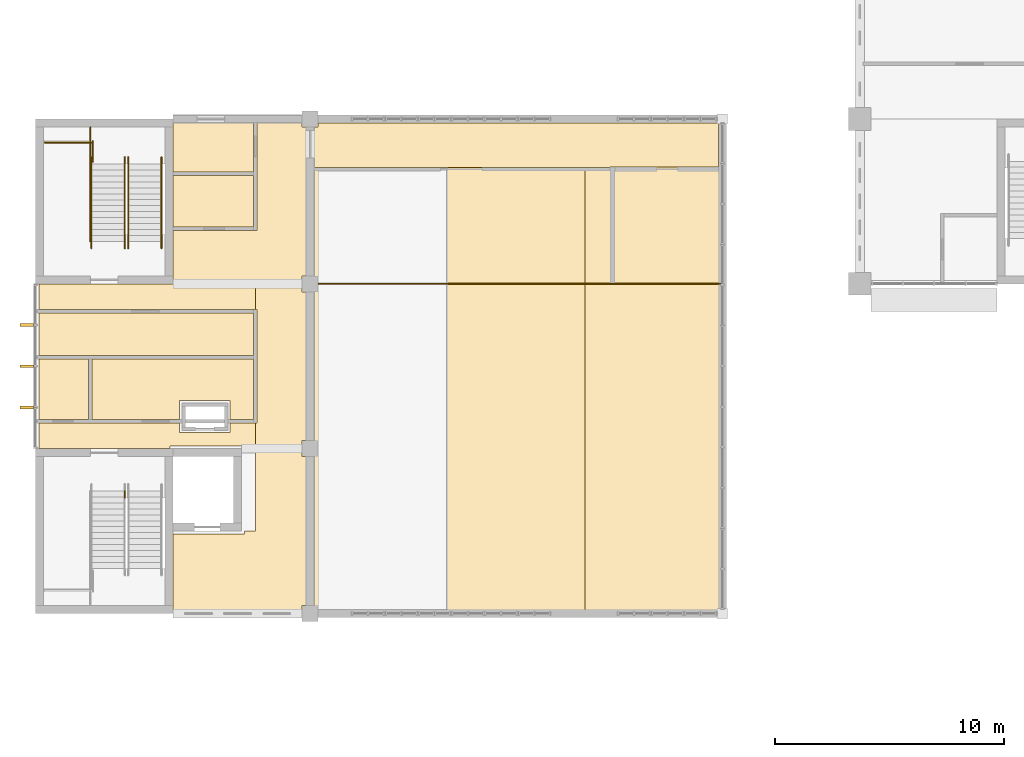
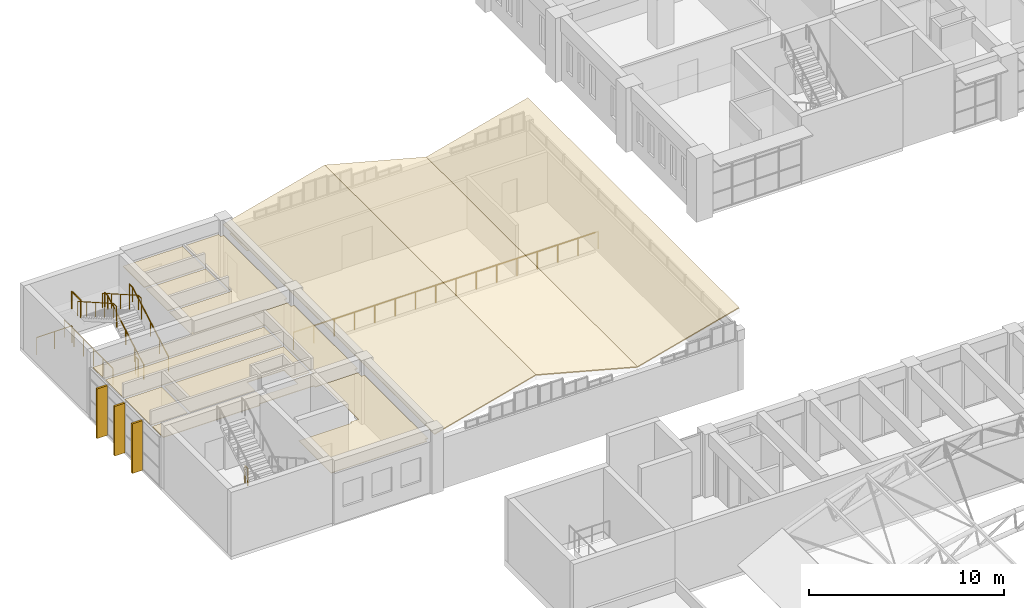
# One storey, part 84 of 92: 14 coverings, 10 railings, 3 shading devices.
"""IFC4 building model written with IfcOpenShell, lengths in metres."""

from ifc_helpers import new_model, si_unit, direction, frame, origin, origin_2d, place, context, subcontext, project, spatial, polyline, rectangle, circle, outline, extrude, material, layer, layer_set, type_object, element, save


model = new_model("IFC4")

# Units and contexts
model_context = context("Model", 3, precision=1e-05, world=origin(), true_north=direction((0.0, 1.0)))
body_context = subcontext(model_context, "Body", "Model", "MODEL_VIEW")
ifc_project = project(units=[si_unit("LENGTHUNIT", "METRE"), si_unit("AREAUNIT", "SQUARE_METRE"), si_unit("VOLUMEUNIT", "CUBIC_METRE"), si_unit("PLANEANGLEUNIT", "RADIAN"), si_unit("MASSUNIT", "GRAM", prefix="KILO")], contexts=[model_context])

# Site, building, storey
site_placement = place(None, origin())
site = spatial("IfcSite", under=ifc_project, at=site_placement, CompositionType="ELEMENT")
building_placement = place(site_placement, origin())
building = spatial("IfcBuilding", under=site, at=building_placement, Name="Laocheng Heights Fire and Rescue Headquarters", CompositionType="ELEMENT")
storey_placement = place(building_placement, frame((0.0, 0.0, 12.60009765625)))
storey = spatial("IfcBuildingStorey", under=building, at=storey_placement, Name="L03", CompositionType="ELEMENT", Elevation=12.60009765625)

# Shading devices
ifc_material_1 = material(Name="Precast concrete C40/50, light warm grey", Category="concrete")
ifc_layer_1 = layer(ifc_material_1, 0.1201171875)
ifc_layer_set_1 = layer_set([ifc_layer_1], Name="Precast concrete C40/50, light warm grey")
shading_device_type = type_object("IfcShadingDeviceType", Name="PRECAST VERTICAL FIN 120 x 600", PredefinedType="AWNING", material=ifc_layer_set_1)
for number, where, z_axis, x_axis, name in (
    (1, (-0.375, 45.0, -0.000244140625), (0.0, 0.0, 1.0), (1.0, 0.0, 0.0), "FIN FOYER L03"),
    (2, (-0.375, 46.800048828125, -0.000244140625), (0.0, 0.0, 1.0), (1.0, 0.0, 0.0), "FIN FOYER L03"),
    (3, (-0.375, 48.60009765625, -0.000244140625), (0.0, 0.0, 1.0), (1.0, 0.0, 0.0), "FIN FOYER L03"),
):
    element("IfcShadingDevice", number, at=place(storey_placement, frame(where, z_axis=z_axis, x_axis=x_axis)), inside=storey, type_object=shading_device_type, Name=name, PredefinedType="AWNING", context=body_context, shape_type="SweptSolid", body=[
        extrude(rectangle(XDim=0.60009765625, YDim=0.1201171875, at=origin_2d()), origin(), (0.0, 0.0, 1.0), 3.10009765625),
    ])

# Coverings
ifc_material_2 = material(Name="Standing-seam aluminium roof sheeting on waterproof membrane", Category="aluminium")
ifc_layer_2 = layer(ifc_material_2, 0.06005859375)
ifc_layer_set_2 = layer_set([ifc_layer_2], Name="Standing-seam aluminium roof sheeting on waterproof membrane")
covering_type_1 = type_object("IfcCoveringType", Name="SLOPED ROOF COVERING 60", PredefinedType="ROOFING", material=ifc_layer_set_2)
for number, where, z_axis, x_axis, name in (
    (4, (12.0, 36.0, 3.4619140625), (-0.25767733287, 0.0, 0.966231024199), (0.966231024199, 0.0, 0.25767733287), "Folded plate covering facet 1"),
    (5, (18.0, 36.0, 5.06201171875), (0.25767733287, 0.0, 0.966231024199), (0.966231024199, 0.0, -0.25767733287), "Folded plate covering facet 2"),
    (6, (24.0, 36.0, 3.4619140625), (-0.25767733287, 0.0, 0.966231024199), (0.966231024199, 0.0, 0.25767733287), "Folded plate covering facet 3"),
):
    element("IfcCovering", number, at=place(storey_placement, frame(where, z_axis=z_axis, x_axis=x_axis)), inside=storey, type_object=covering_type_1, Name=name, PredefinedType="ROOFING", context=body_context, shape_type="SweptSolid", body=[
        extrude(outline(polyline([(0.0, 0.0), (6.20969504158914, 0.0), (6.20969504158914, 21.60009765625), (0.0, 21.60009765625), (0.0, 0.0)])), origin(), (0.0, 0.0, -1.0), 0.06005859375),
    ])

# Railings
ifc_material_3 = material(Name="Steel Q355B", Category="steel")
railing_type_1 = type_object("IfcRailingType", Name="STAIR GUARD 1100", PredefinedType="GUARDRAIL", material=ifc_material_3)
railing_1_placement = place(storey_placement, frame((3.905029296875, 41.0498046875, 0.0)))
element("IfcRailing", 7, at=railing_1_placement, inside=storey, type_object=railing_type_1, Name="Stair P1 guard L03 well edge", PredefinedType="GUARDRAIL", context=body_context, shape_type="SweptSolid", body=[
    extrude(circle(Radius=0.02392578125, at=origin_2d()), frame((0.0, 0.0, 1.076171875), z_axis=(0.0, 1.0, 0.0), x_axis=(-1.0, 0.0, 0.0)), (0.0, 0.0, 1.0), 0.30029296875),
    extrude(circle(Radius=0.02099609375, at=origin_2d()), origin(), (0.0, 0.0, 1.0), 1.052001953125),
    extrude(circle(Radius=0.02099609375, at=origin_2d()), frame((0.0, 0.30029296875, 0.0)), (0.0, 0.0, 1.0), 1.052001953125),
])
railing_2_placement = place(storey_placement, frame((3.905029296875, 52.550048828125, 0.0)))
element("IfcRailing", 8, at=railing_2_placement, inside=storey, type_object=railing_type_1, Name="Stair P2 guard L03 well edge", PredefinedType="GUARDRAIL", context=body_context, shape_type="SweptSolid", body=[
    extrude(circle(Radius=0.02392578125, at=origin_2d()), frame((0.0, 0.0, 1.076171875), z_axis=(0.0, -1.0, 0.0), x_axis=(1.0, 0.0, 0.0)), (0.0, 0.0, 1.0), 0.300048828125),
    extrude(circle(Radius=0.02099609375, at=origin_2d()), origin(), (0.0, 0.0, 1.0), 1.052001953125),
    extrude(circle(Radius=0.02099609375, at=origin_2d()), frame((0.0, -0.300048828125, 0.0)), (0.0, 0.0, 1.0), 1.052001953125),
])
railing_3_placement = place(storey_placement, frame((2.47509765625, 56.570068359375, 0.0)))
element("IfcRailing", 9, at=railing_3_placement, inside=storey, type_object=railing_type_1, Name="Stair P2 guard L03 tongue edge", PredefinedType="GUARDRAIL", context=body_context, shape_type="SweptSolid", body=[
    extrude(circle(Radius=0.02392578125, at=origin_2d()), frame((0.0, 0.0, 1.076171875), z_axis=(-1.0, 0.0, 0.0), x_axis=(0.0, -1.0, 0.0)), (0.0, 0.0, 1.0), 2.0751953125),
    extrude(circle(Radius=0.02099609375, at=origin_2d()), origin(), (0.0, 0.0, 1.0), 1.052001953125),
    extrude(circle(Radius=0.02099609375, at=origin_2d()), frame((-1.03759765625, 0.0, 0.0)), (0.0, 0.0, 1.0), 1.052001953125),
    extrude(circle(Radius=0.02099609375, at=origin_2d()), frame((-2.0751953125, 0.0, 0.0)), (0.0, 0.0, 1.0), 1.052001953125),
])
railing_4_placement = place(storey_placement, frame((2.39501953125, 57.22998046875, 0.0)))
element("IfcRailing", 10, at=railing_4_placement, inside=storey, type_object=railing_type_1, Name="Stair P2 guard L03 strip edge", PredefinedType="GUARDRAIL", context=body_context, shape_type="SweptSolid", body=[
    extrude(circle(Radius=0.02392578125, at=origin_2d()), frame((0.0, 0.0, 1.076171875), z_axis=(0.0, -1.0, 0.0), x_axis=(1.0, 0.0, 0.0)), (0.0, 0.0, 1.0), 4.97998046875),
    extrude(circle(Radius=0.02099609375, at=origin_2d()), origin(), (0.0, 0.0, 1.0), 1.052001953125),
    extrude(circle(Radius=0.02099609375, at=origin_2d()), frame((0.0, -0.99609375, 0.0)), (0.0, 0.0, 1.0), 1.052001953125),
    extrude(circle(Radius=0.02099609375, at=origin_2d()), frame((0.0, -1.991943359375, 0.0)), (0.0, 0.0, 1.0), 1.052001953125),
    extrude(circle(Radius=0.02099609375, at=origin_2d()), frame((0.0, -2.988037109375, 0.0)), (0.0, 0.0, 1.0), 1.052001953125),
    extrude(circle(Radius=0.02099609375, at=origin_2d()), frame((0.0, -3.98388671875, 0.0)), (0.0, 0.0, 1.0), 1.052001953125),
    extrude(circle(Radius=0.02099609375, at=origin_2d()), frame((0.0, -4.97998046875, 0.0)), (0.0, 0.0, 1.0), 1.052001953125),
])
railing_5_placement = place(storey_placement, frame((2.5048828125, 56.6298828125, 2.099853515625)))
element("IfcRailing", 11, at=railing_5_placement, inside=storey, type_object=railing_type_1, Name="Stair P2 guard L03 half landing", PredefinedType="GUARDRAIL", context=body_context, shape_type="SweptSolid", body=[
    extrude(circle(Radius=0.02392578125, at=origin_2d()), frame((0.0, 0.0, 1.076171875), z_axis=(0.0, -1.0, 0.0), x_axis=(1.0, 0.0, 0.0)), (0.0, 0.0, 1.0), 0.89990234375),
    extrude(circle(Radius=0.02099609375, at=origin_2d()), origin(), (0.0, 0.0, 1.0), 1.052001953125),
    extrude(circle(Radius=0.02099609375, at=origin_2d()), frame((0.0, -0.89990234375, 0.0)), (0.0, 0.0, 1.0), 1.052001953125),
])
ifc_material_4 = material(Name="Steel Q355B", Category="steel")
railing_type_2 = type_object("IfcRailingType", Name="STAIR HANDRAIL 920", PredefinedType="HANDRAIL", material=ifc_material_4)
for number, where, name in (
    (12, (5.5048828125, 51.949951171875, 0.0), "Stair P2 handrail L03 1"),
    (13, (4.044921875, 51.949951171875, 0.0), "Stair P2 handrail L03 2"),
):
    element("IfcRailing", number, at=place(storey_placement, frame(where)), inside=storey, type_object=railing_type_2, Name=name, PredefinedType="HANDRAIL", context=body_context, shape_type="SweptSolid", body=[
        extrude(circle(Radius=0.02392578125, at=origin_2d()), frame((0.0, 0.0, 0.89599609375), z_axis=(0.0, 0.868544392059, 0.495611379029), x_axis=(-1.0, 0.0, 0.0)), (0.0, 0.0, 1.0), 4.23681640625),
        extrude(circle(Radius=0.02392578125, at=origin_2d()), frame((0.0, 3.679931640625, 2.99560546875), z_axis=(0.0, 1.0, 0.0), x_axis=(-1.0, 0.0, 0.0)), (0.0, 0.0, 1.0), 0.300048828125),
        extrude(circle(Radius=0.02099609375, at=origin_2d()), origin(), (0.0, 0.0, 1.0), 0.871826171875),
        extrude(circle(Radius=0.02099609375, at=origin_2d()), frame((0.0, 0.919921875, 0.52490234375)), (0.0, 0.0, 1.0), 0.871826171875),
        extrude(circle(Radius=0.02099609375, at=origin_2d()), frame((0.0, 1.83984375, 1.0498046875)), (0.0, 0.0, 1.0), 0.871826171875),
        extrude(circle(Radius=0.02099609375, at=origin_2d()), frame((0.0, 2.760009765625, 1.574951171875)), (0.0, 0.0, 1.0), 0.871826171875),
        extrude(circle(Radius=0.02099609375, at=origin_2d()), frame((0.0, 3.679931640625, 2.099853515625)), (0.0, 0.0, 1.0), 0.871826171875),
        extrude(circle(Radius=0.02099609375, at=origin_2d()), frame((0.0, 3.97998046875, 2.099853515625)), (0.0, 0.0, 1.0), 0.871826171875),
    ])
for number, where, name in (
    (14, (3.905029296875, 55.929931640625, 2.099853515625), "Stair P2 handrail L03 3"),
    (15, (2.445068359375, 55.929931640625, 2.099853515625), "Stair P2 handrail L03 4"),
):
    element("IfcRailing", number, at=place(storey_placement, frame(where)), inside=storey, type_object=railing_type_2, Name=name, PredefinedType="HANDRAIL", context=body_context, shape_type="SweptSolid", body=[
        extrude(circle(Radius=0.02392578125, at=origin_2d()), frame((0.0, 0.0, 0.89599609375), z_axis=(0.0, -0.868519587458, 0.495654845838), x_axis=(1.0, 0.0, 0.0)), (0.0, 0.0, 1.0), 4.237060546875),
        extrude(circle(Radius=0.02392578125, at=origin_2d()), frame((0.0, -3.679931640625, 2.99609375), z_axis=(0.0, -1.0, 0.0), x_axis=(1.0, 0.0, 0.0)), (0.0, 0.0, 1.0), 0.300048828125),
        extrude(circle(Radius=0.02099609375, at=origin_2d()), origin(), (0.0, 0.0, 1.0), 0.871826171875),
        extrude(circle(Radius=0.02099609375, at=origin_2d()), frame((0.0, -0.919921875, 0.52490234375)), (0.0, 0.0, 1.0), 0.871826171875),
        extrude(circle(Radius=0.02099609375, at=origin_2d()), frame((0.0, -1.83984375, 1.050048828125)), (0.0, 0.0, 1.0), 0.871826171875),
        extrude(circle(Radius=0.02099609375, at=origin_2d()), frame((0.0, -2.760009765625, 1.5751953125)), (0.0, 0.0, 1.0), 0.871826171875),
        extrude(circle(Radius=0.02099609375, at=origin_2d()), frame((0.0, -3.679931640625, 2.10009765625)), (0.0, 0.0, 1.0), 0.871826171875),
        extrude(circle(Radius=0.02099609375, at=origin_2d()), frame((0.0, -3.97998046875, 2.10009765625)), (0.0, 0.0, 1.0), 0.871826171875),
    ])
ifc_material_5 = material(Name="Steel and laminated glass", Category="steel")
railing_type_3 = type_object("IfcRailingType", Name="STEEL AND LAMINATED GLASS GUARD 1100 PAVILION", PredefinedType="GUARDRAIL", material=ifc_material_5)
railing_6_placement = place(storey_placement, frame((12.0, 50.39990234375, 0.0)))
element("IfcRailing", 16, at=railing_6_placement, inside=storey, type_object=railing_type_3, Name="Theatre balcony guard", PredefinedType="GUARDRAIL", context=body_context, shape_type="SweptSolid", body=[
    extrude(circle(Radius=0.02392578125, at=origin_2d()), frame((0.0, 0.0, 1.076171875), z_axis=(1.0, 0.0, 0.0), x_axis=(0.0, 1.0, 0.0)), (0.0, 0.0, 1.0), 18.0),
    extrude(circle(Radius=0.02099609375, at=origin_2d()), origin(), (0.0, 0.0, 1.0), 1.052001953125),
    extrude(circle(Radius=0.02099609375, at=origin_2d()), frame((1.199951171875, 0.0, 0.0)), (0.0, 0.0, 1.0), 1.052001953125),
    extrude(circle(Radius=0.02099609375, at=origin_2d()), frame((2.39990234375, 0.0, 0.0)), (0.0, 0.0, 1.0), 1.052001953125),
    extrude(circle(Radius=0.02099609375, at=origin_2d()), frame((3.60009765625, 0.0, 0.0)), (0.0, 0.0, 1.0), 1.052001953125),
    extrude(circle(Radius=0.02099609375, at=origin_2d()), frame((4.800048828125, 0.0, 0.0)), (0.0, 0.0, 1.0), 1.052001953125),
    extrude(circle(Radius=0.02099609375, at=origin_2d()), frame((6.0, 0.0, 0.0)), (0.0, 0.0, 1.0), 1.052001953125),
    extrude(circle(Radius=0.02099609375, at=origin_2d()), frame((7.199951171875, 0.0, 0.0)), (0.0, 0.0, 1.0), 1.052001953125),
    extrude(circle(Radius=0.02099609375, at=origin_2d()), frame((8.39990234375, 0.0, 0.0)), (0.0, 0.0, 1.0), 1.052001953125),
    extrude(circle(Radius=0.02099609375, at=origin_2d()), frame((9.60009765625, 0.0, 0.0)), (0.0, 0.0, 1.0), 1.052001953125),
    extrude(circle(Radius=0.02099609375, at=origin_2d()), frame((10.800048828125, 0.0, 0.0)), (0.0, 0.0, 1.0), 1.052001953125),
    extrude(circle(Radius=0.02099609375, at=origin_2d()), frame((12.0, 0.0, 0.0)), (0.0, 0.0, 1.0), 1.052001953125),
    extrude(circle(Radius=0.02099609375, at=origin_2d()), frame((13.199951171875, 0.0, 0.0)), (0.0, 0.0, 1.0), 1.052001953125),
    extrude(circle(Radius=0.02099609375, at=origin_2d()), frame((14.39990234375, 0.0, 0.0)), (0.0, 0.0, 1.0), 1.052001953125),
    extrude(circle(Radius=0.02099609375, at=origin_2d()), frame((15.60009765625, 0.0, 0.0)), (0.0, 0.0, 1.0), 1.052001953125),
    extrude(circle(Radius=0.02099609375, at=origin_2d()), frame((16.800048828125, 0.0, 0.0)), (0.0, 0.0, 1.0), 1.052001953125),
    extrude(circle(Radius=0.02099609375, at=origin_2d()), frame((18.0, 0.0, 0.0)), (0.0, 0.0, 1.0), 1.052001953125),
])

# Coverings
ifc_material_6 = material(Name="Mineral fibre ceiling tile")
ifc_layer_3 = layer(ifc_material_6, 0.0400390625)
ifc_layer_set_3 = layer_set([ifc_layer_3], Name="Mineral fibre ceiling tile")
covering_type_2 = type_object("IfcCoveringType", Name="SUSPENDED CEILING MINERAL FIBRE TILE PAVILION", PredefinedType="CEILING", material=ifc_layer_set_3)
covering_1_placement = place(storey_placement, frame((0.0, 0.0, 3.0)))
element("IfcCovering", 17, at=covering_1_placement, inside=storey, type_object=covering_type_2, Name="Circulation ceiling", PredefinedType="CEILING", context=body_context, shape_type="SweptSolid", body=[
    extrude(outline(polyline([(6.125, 39.47509765625), (8.875, 39.47509765625), (9.125, 39.47509765625), (9.125, 39.60009765625), (9.60009765625, 39.60009765625), (9.60009765625, 43.199951171875), (11.64990234375, 43.199951171875), (11.64990234375, 42.85009765625), (11.824951171875, 42.85009765625), (11.824951171875, 36.35009765625), (11.64990234375, 36.35009765625), (11.64990234375, 36.14990234375), (6.0, 36.14990234375), (6.0, 39.47509765625), (6.125, 39.47509765625)])), origin(), (0.0, 0.0, 1.0), 0.039794921875),
])
covering_2_placement = place(storey_placement, frame((0.0, 0.0, 3.0)))
element("IfcCovering", 18, at=covering_2_placement, inside=storey, type_object=covering_type_2, Name="Circulation Spine ceiling", PredefinedType="CEILING", context=body_context, shape_type="SweptSolid", body=[
    extrude(outline(polyline([(11.64990234375, 50.39990234375), (11.64990234375, 50.050048828125), (11.824951171875, 50.050048828125), (11.824951171875, 43.550048828125), (11.64990234375, 43.550048828125), (11.64990234375, 43.199951171875), (9.60009765625, 43.199951171875), (9.60009765625, 44.324951171875), (9.675048828125, 44.324951171875), (9.675048828125, 49.27490234375), (9.60009765625, 49.27490234375), (9.60009765625, 50.39990234375), (11.64990234375, 50.39990234375)])), origin(), (0.0, 0.0, 1.0), 0.039794921875),
])
covering_3_placement = place(storey_placement, frame((0.0, 0.0, 3.0)))
element("IfcCovering", 19, at=covering_3_placement, inside=storey, type_object=covering_type_2, Name="Stair Lobby ceiling", PredefinedType="CEILING", context=body_context, shape_type="SweptSolid", body=[
    extrude(outline(polyline([(6.0, 52.72509765625), (9.52490234375, 52.72509765625), (9.675048828125, 52.72509765625), (9.675048828125, 57.449951171875), (11.64990234375, 57.449951171875), (11.64990234375, 57.25), (11.824951171875, 57.25), (11.824951171875, 50.75), (11.64990234375, 50.75), (11.64990234375, 50.39990234375), (6.0, 50.39990234375), (6.0, 52.72509765625)])), origin(), (0.0, 0.0, 1.0), 0.039794921875),
])
covering_4_placement = place(storey_placement, frame((0.0, 0.0, 3.0)))
element("IfcCovering", 20, at=covering_4_placement, inside=storey, type_object=covering_type_2, Name="Stair Lobby North ceiling", PredefinedType="CEILING", context=body_context, shape_type="SweptSolid", body=[
    extrude(outline(polyline([(9.125, 43.199951171875), (9.125, 43.324951171875), (8.875, 43.324951171875), (6.125, 43.324951171875), (5.875, 43.324951171875), (5.875, 43.199951171875), (0.14990234375, 43.199951171875), (0.14990234375, 44.324951171875), (6.300048828125, 44.324951171875), (6.300048828125, 44.10009765625), (6.300048828125, 43.89990234375), (6.5, 43.89990234375), (8.300048828125, 43.89990234375), (8.5, 43.89990234375), (8.5, 44.10009765625), (8.5, 44.324951171875), (9.52490234375, 44.324951171875), (9.60009765625, 44.324951171875), (9.60009765625, 43.199951171875), (9.125, 43.199951171875)])), origin(), (0.0, 0.0, 1.0), 0.039794921875),
])
covering_5_placement = place(storey_placement, frame((0.0, 0.0, 3.0)))
element("IfcCovering", 21, at=covering_5_placement, inside=storey, type_object=covering_type_2, Name="Accessible WC ceiling", PredefinedType="CEILING", context=body_context, shape_type="SweptSolid", body=[
    extrude(outline(polyline([(0.14990234375, 44.47509765625), (0.14990234375, 47.125), (2.324951171875, 47.125), (2.324951171875, 44.47509765625), (0.14990234375, 44.47509765625)])), origin(), (0.0, 0.0, 1.0), 0.039794921875),
])
covering_6_placement = place(storey_placement, frame((0.0, 0.0, 3.0)))
element("IfcCovering", 22, at=covering_6_placement, inside=storey, type_object=covering_type_2, Name="Fire Safety Training Classroom ceiling", PredefinedType="CEILING", context=body_context, shape_type="SweptSolid", body=[
    extrude(outline(polyline([(9.52490234375, 44.47509765625), (8.5, 44.47509765625), (8.5, 45.10009765625), (8.5, 45.300048828125), (8.300048828125, 45.300048828125), (6.5, 45.300048828125), (6.300048828125, 45.300048828125), (6.300048828125, 45.10009765625), (6.300048828125, 44.47509765625), (2.47509765625, 44.47509765625), (2.47509765625, 47.125), (9.52490234375, 47.125), (9.52490234375, 44.47509765625)])), origin(), (0.0, 0.0, 1.0), 0.039794921875),
])
covering_7_placement = place(storey_placement, frame((0.0, 0.0, 3.0)))
element("IfcCovering", 23, at=covering_7_placement, inside=storey, type_object=covering_type_2, Name="Computer Training Room ceiling", PredefinedType="CEILING", context=body_context, shape_type="SweptSolid", body=[
    extrude(outline(polyline([(9.52490234375, 47.27490234375), (0.14990234375, 47.27490234375), (0.14990234375, 49.125), (9.52490234375, 49.125), (9.52490234375, 47.27490234375)])), origin(), (0.0, 0.0, 1.0), 0.039794921875),
])
covering_8_placement = place(storey_placement, frame((0.0, 0.0, 3.0)))
element("IfcCovering", 24, at=covering_8_placement, inside=storey, type_object=covering_type_2, Name="Stair Lobby South ceiling", PredefinedType="CEILING", context=body_context, shape_type="SweptSolid", body=[
    extrude(outline(polyline([(9.60009765625, 49.27490234375), (9.52490234375, 49.27490234375), (0.14990234375, 49.27490234375), (0.14990234375, 50.39990234375), (9.60009765625, 50.39990234375), (9.60009765625, 49.27490234375)])), origin(), (0.0, 0.0, 1.0), 0.039794921875),
])
covering_9_placement = place(storey_placement, frame((0.0, 0.0, 3.0)))
element("IfcCovering", 25, at=covering_9_placement, inside=storey, type_object=covering_type_2, Name="Meeting Room ceiling", PredefinedType="CEILING", context=body_context, shape_type="SweptSolid", body=[
    extrude(outline(polyline([(9.52490234375, 55.125), (9.52490234375, 52.875), (6.0, 52.875), (6.0, 55.125), (9.52490234375, 55.125)])), origin(), (0.0, 0.0, 1.0), 0.039794921875),
])
covering_10_placement = place(storey_placement, frame((0.0, 0.0, 3.0)))
element("IfcCovering", 26, at=covering_10_placement, inside=storey, type_object=covering_type_2, Name="Public Toilets ceiling", PredefinedType="CEILING", context=body_context, shape_type="SweptSolid", body=[
    extrude(outline(polyline([(9.52490234375, 57.449951171875), (9.52490234375, 55.27490234375), (6.0, 55.27490234375), (6.0, 57.449951171875), (9.52490234375, 57.449951171875)])), origin(), (0.0, 0.0, 1.0), 0.039794921875),
])
covering_11_placement = place(storey_placement, frame((0.0, 0.0, 3.0)))
element("IfcCovering", 27, at=covering_11_placement, inside=storey, type_object=covering_type_2, Name="Theatre Circulation ceiling", PredefinedType="CEILING", context=body_context, shape_type="SweptSolid", body=[
    extrude(outline(polyline([(12.175048828125, 57.25), (12.35009765625, 57.25), (12.35009765625, 57.425048828125), (29.824951171875, 57.425048828125), (29.824951171875, 55.5), (25.300048828125, 55.5), (25.10009765625, 55.5), (25.10009765625, 55.47509765625), (12.175048828125, 55.47509765625), (12.175048828125, 57.25)])), origin(), (0.0, 0.0, 1.0), 0.039794921875),
])

save(model, "model.ifc")
